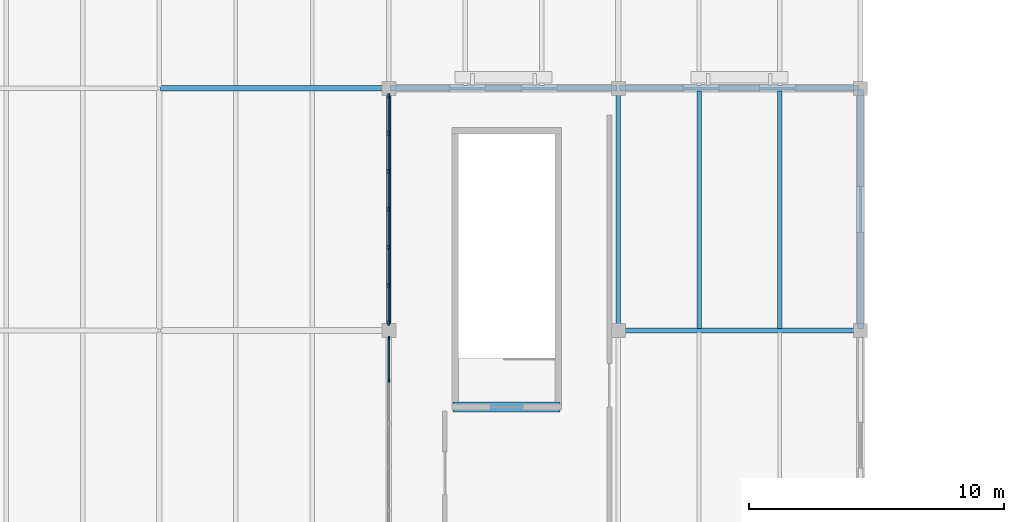
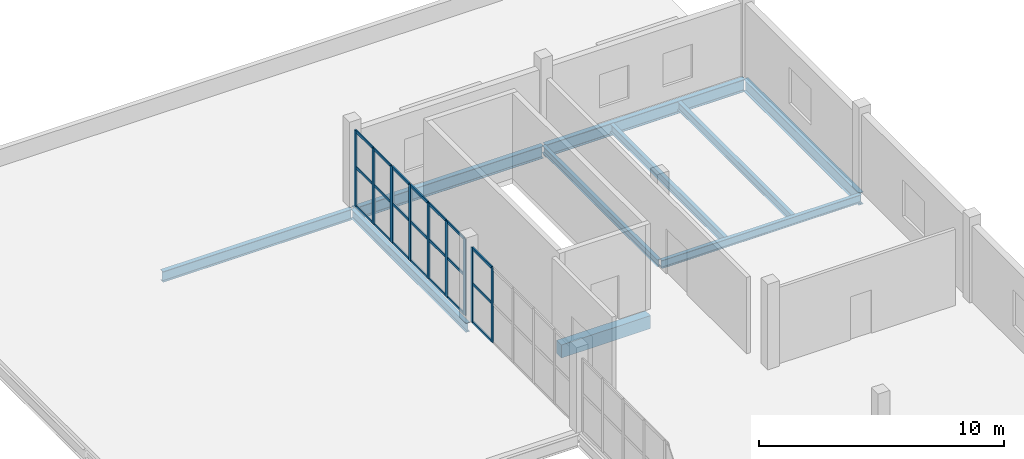
# One storey, part 32 of 54: 30 members, 10 beams, 2 elements without a shape of their own.
"""IFC4 building model written with IfcOpenShell, lengths in metres."""

from ifc_helpers import new_model, si_unit, direction, frame, origin, origin_2d, place, context, subcontext, project, spatial, rectangle, i_section, extrude, material, layer, layer_set, material_profile, profile_set, type_object, element, aggregate, save


model = new_model("IFC4")

# Units and contexts
model_context = context("Model", 3, precision=1e-05, world=origin(), true_north=direction((0.0, 1.0)))
body_context = subcontext(model_context, "Body", "Model", "MODEL_VIEW")
ifc_project = project(units=[si_unit("LENGTHUNIT", "METRE"), si_unit("AREAUNIT", "SQUARE_METRE"), si_unit("VOLUMEUNIT", "CUBIC_METRE"), si_unit("PLANEANGLEUNIT", "RADIAN"), si_unit("MASSUNIT", "GRAM", prefix="KILO")], contexts=[model_context])

# Site, building, storey
site_placement = place(None, origin())
site = spatial("IfcSite", under=ifc_project, at=site_placement, CompositionType="ELEMENT")
building_placement = place(site_placement, origin())
building = spatial("IfcBuilding", under=site, at=building_placement, Name="Marnock Terrace Opera House", CompositionType="ELEMENT")
storey_placement = place(building_placement, frame((0.0, 0.0, 19.199951171875)))
storey = spatial("IfcBuildingStorey", under=building, at=storey_placement, Name="L04", CompositionType="ELEMENT", Elevation=19.199951171875)

# Beams
ifc_material_1 = material(Name="Steel Grade 350 (AS/NZS 3679.1)", Category="steel")
ifc_material_profile_1 = material_profile(ifc_material_1, i_section(OverallWidth=0.1708984375, OverallDepth=0.355712890625, WebThickness=0.00732421875, FlangeThickness=0.011474609375, FilletRadius=0.011474609375, at=origin_2d()))
ifc_profile_set_1 = profile_set([ifc_material_profile_1], Name="Steel Grade 350 (AS/NZS 3679.1)")
beam_type_1 = type_object("IfcBeamType", Name="BM-GIRD-360", PredefinedType="BEAM", material=ifc_profile_set_1)
beam_1_placement = place(storey_placement, frame((145.0, 75.050048828125, -0.427734375), z_axis=(0.0, 1.0, 0.0), x_axis=(-1.0, 0.0, 0.0)))
element("IfcBeam", 1, at=beam_1_placement, inside=storey, type_object=beam_type_1, Name="L04 girder (X=145.0, 75.0..84.5)", PredefinedType="BEAM", context=body_context, shape_type="SweptSolid", body=[
    extrude(i_section(OverallWidth=0.1708984375, OverallDepth=0.355712890625, WebThickness=0.00732421875, FlangeThickness=0.011474609375, FilletRadius=0.011474609375, at=origin_2d()), origin(), (0.0, 0.0, 1.0), 9.39990234375),
])
ifc_material_profile_2 = material_profile(ifc_material_1, i_section(OverallWidth=0.177978515625, OverallDepth=0.402587890625, WebThickness=0.007568359375, FlangeThickness=0.010986328125, FilletRadius=0.011474609375, at=origin_2d()))
ifc_profile_set_2 = profile_set([ifc_material_profile_2], Name="Steel Grade 350 (AS/NZS 3679.1)")
beam_type_2 = type_object("IfcBeamType", Name="BM-GIRD-410", PredefinedType="BEAM", material=ifc_profile_set_2)
beam_2_placement = place(storey_placement, frame((145.050048828125, 75.0, -0.451171875), z_axis=(1.0, 0.0, 0.0), x_axis=(0.0, 1.0, 0.0)))
element("IfcBeam", 2, at=beam_2_placement, inside=storey, type_object=beam_type_2, Name="L04 girder (145.0..154.5, Y=75.0)", PredefinedType="BEAM", context=body_context, shape_type="SweptSolid", body=[
    extrude(i_section(OverallWidth=0.177978515625, OverallDepth=0.402587890625, WebThickness=0.007568359375, FlangeThickness=0.010986328125, FilletRadius=0.011474609375, at=origin_2d()), origin(), (0.0, 0.0, 1.0), 9.39990234375),
])
ifc_material_profile_3 = material_profile(ifc_material_1, i_section(OverallWidth=0.18994140625, OverallDepth=0.45751953125, WebThickness=0.009033203125, FlangeThickness=0.014404296875, FilletRadius=0.011474609375, at=origin_2d()))
ifc_profile_set_3 = profile_set([ifc_material_profile_3], Name="Steel Grade 350 (AS/NZS 3679.1)")
beam_type_3 = type_object("IfcBeamType", Name="BM-GIRD-460B", PredefinedType="BEAM", material=ifc_profile_set_3)
beam_3_placement = place(storey_placement, frame((136.0, 75.050048828125, -0.478759765625), z_axis=(0.0, 1.0, 0.0), x_axis=(-1.0, 0.0, 0.0)))
element("IfcBeam", 3, at=beam_3_placement, inside=storey, type_object=beam_type_3, Name="L04 girder (X=136.0, 75.0..84.5)", PredefinedType="BEAM", context=body_context, shape_type="SweptSolid", body=[
    extrude(i_section(OverallWidth=0.18994140625, OverallDepth=0.45751953125, WebThickness=0.009033203125, FlangeThickness=0.014404296875, FilletRadius=0.011474609375, at=origin_2d()), origin(), (0.0, 0.0, 1.0), 9.39990234375),
])
ifc_material_profile_4 = material_profile(ifc_material_1, i_section(OverallWidth=0.208984375, OverallDepth=0.532958984375, WebThickness=0.01025390625, FlangeThickness=0.015625, FilletRadius=0.013916015625, at=origin_2d()))
ifc_profile_set_4 = profile_set([ifc_material_profile_4], Name="Steel Grade 350 (AS/NZS 3679.1)")
beam_type_4 = type_object("IfcBeamType", Name="BM-GIRD-530A", PredefinedType="BEAM", material=ifc_profile_set_4)
beam_4_placement = place(storey_placement, frame((127.050048828125, 84.5, -0.516357421875), z_axis=(1.0, 0.0, 0.0), x_axis=(0.0, 1.0, 0.0)))
element("IfcBeam", 4, at=beam_4_placement, inside=storey, type_object=beam_type_4, Name="L04 girder (127.0..136.0, Y=84.5)", PredefinedType="BEAM", context=body_context, shape_type="SweptSolid", body=[
    extrude(i_section(OverallWidth=0.208984375, OverallDepth=0.532958984375, WebThickness=0.01025390625, FlangeThickness=0.015625, FilletRadius=0.013916015625, at=origin_2d()), origin(), (0.0, 0.0, 1.0), 8.89990234375),
])
ifc_material_profile_5 = material_profile(ifc_material_1, i_section(OverallWidth=0.22900390625, OverallDepth=0.611572265625, WebThickness=0.011962890625, FlangeThickness=0.01953125, FilletRadius=0.013916015625, at=origin_2d()))
ifc_profile_set_5 = profile_set([ifc_material_profile_5], Name="Steel Grade 350 (AS/NZS 3679.1)")
beam_type_5 = type_object("IfcBeamType", Name="BM-GIRD-610A", PredefinedType="BEAM", material=ifc_profile_set_5)
beam_5_placement = place(storey_placement, frame((145.050048828125, 84.5, -0.5556640625), z_axis=(1.0, 0.0, 0.0), x_axis=(0.0, 1.0, 0.0)))
element("IfcBeam", 5, at=beam_5_placement, inside=storey, type_object=beam_type_5, Name="L04 girder (145.0..154.5, Y=84.5)", PredefinedType="BEAM", context=body_context, shape_type="SweptSolid", body=[
    extrude(i_section(OverallWidth=0.22900390625, OverallDepth=0.611572265625, WebThickness=0.011962890625, FlangeThickness=0.01953125, FilletRadius=0.013916015625, at=origin_2d()), origin(), (0.0, 0.0, 1.0), 9.39990234375),
])
ifc_material_profile_6 = material_profile(ifc_material_1, i_section(OverallWidth=0.22802734375, OverallDepth=0.60693359375, WebThickness=0.01123046875, FlangeThickness=0.017333984375, FilletRadius=0.013916015625, at=origin_2d()))
ifc_profile_set_6 = profile_set([ifc_material_profile_6], Name="Steel Grade 350 (AS/NZS 3679.1)")
beam_type_6 = type_object("IfcBeamType", Name="BM-GIRD-610B", PredefinedType="BEAM", material=ifc_profile_set_6)
beam_6_placement = place(storey_placement, frame((136.050048828125, 84.5, -0.553466796875), z_axis=(1.0, 0.0, 0.0), x_axis=(0.0, 1.0, 0.0)))
element("IfcBeam", 6, at=beam_6_placement, inside=storey, type_object=beam_type_6, Name="L04 girder (136.0..145.0, Y=84.5)", PredefinedType="BEAM", context=body_context, shape_type="SweptSolid", body=[
    extrude(i_section(OverallWidth=0.22802734375, OverallDepth=0.60693359375, WebThickness=0.01123046875, FlangeThickness=0.017333984375, FilletRadius=0.013916015625, at=origin_2d()), origin(), (0.0, 0.0, 1.0), 8.89990234375),
])
ifc_material_profile_7 = material_profile(ifc_material_1, i_section(OverallWidth=0.22802734375, OverallDepth=0.60205078125, WebThickness=0.010498046875, FlangeThickness=0.014892578125, FilletRadius=0.013916015625, at=origin_2d()))
ifc_profile_set_7 = profile_set([ifc_material_profile_7], Name="Steel Grade 350 (AS/NZS 3679.1)")
beam_type_7 = type_object("IfcBeamType", Name="BM-GIRD-610C", PredefinedType="BEAM", material=ifc_profile_set_7)
beam_7_placement = place(storey_placement, frame((154.5, 75.050048828125, -0.551025390625), z_axis=(0.0, 1.0, 0.0), x_axis=(-1.0, 0.0, 0.0)))
element("IfcBeam", 7, at=beam_7_placement, inside=storey, type_object=beam_type_7, Name="L04 girder (X=154.5, 75.0..84.5)", PredefinedType="BEAM", context=body_context, shape_type="SweptSolid", body=[
    extrude(i_section(OverallWidth=0.22802734375, OverallDepth=0.60205078125, WebThickness=0.010498046875, FlangeThickness=0.014892578125, FilletRadius=0.013916015625, at=origin_2d()), origin(), (0.0, 0.0, 1.0), 9.39990234375),
])
ifc_material_profile_8 = material_profile(ifc_material_1, i_section(OverallWidth=0.177978515625, OverallDepth=0.406494140625, WebThickness=0.0078125, FlangeThickness=0.0126953125, FilletRadius=0.011474609375, at=origin_2d()))
ifc_profile_set_8 = profile_set([ifc_material_profile_8], Name="Steel Grade 350 (AS/NZS 3679.1)")
beam_type_8 = type_object("IfcBeamType", Name="BM-JOIST-410", PredefinedType="JOIST", material=ifc_profile_set_8)
for number, where, z_axis, x_axis, name in (
    (8, (148.166748046875, 75.083984375, -0.453125), (0.0, 1.0, 0.0), (-1.0, 0.0, 0.0), "L04 secondary joist 16.9.1"),
    (9, (151.333251953125, 75.083984375, -0.453125), (0.0, 1.0, 0.0), (-1.0, 0.0, 0.0), "L04 secondary joist 16.9.2"),
):
    element("IfcBeam", number, at=place(storey_placement, frame(where, z_axis=z_axis, x_axis=x_axis)), inside=storey, type_object=beam_type_8, Name=name, PredefinedType="JOIST", context=body_context, shape_type="SweptSolid", body=[
        extrude(i_section(OverallWidth=0.177978515625, OverallDepth=0.406494140625, WebThickness=0.0078125, FlangeThickness=0.0126953125, FilletRadius=0.011474609375, at=origin_2d()), origin(), (0.0, 0.0, 1.0), 9.306396484375),
    ])
ifc_material_2 = material(Name="Concrete N40 (f'c = 40 MPa)", Category="concrete")
ifc_material_profile_9 = material_profile(ifc_material_2, rectangle(XDim=0.39990234375, YDim=0.64990234375, at=origin_2d()))
ifc_profile_set_9 = profile_set([ifc_material_profile_9], Name="Concrete N40 (f'c = 40 MPa)")
beam_type_9 = type_object("IfcBeamType", Name="BM-LINT-RC400", PredefinedType="LINTEL", material=ifc_profile_set_9)
beam_8_placement = place(storey_placement, frame((138.52001953125, 72.0, -0.599853515625), z_axis=(1.0, 0.0, 0.0), x_axis=(0.0, 1.0, 0.0)))
element("IfcBeam", 10, at=beam_8_placement, inside=storey, type_object=beam_type_9, Name="L03 Core C8 coupling lintel", PredefinedType="LINTEL", context=body_context, shape_type="SweptSolid", body=[
    extrude(rectangle(XDim=0.39990234375, YDim=0.64990234375, at=origin_2d()), origin(), (0.0, 0.0, 1.0), 4.199951171875),
])

# Curtain wall, members
ifc_material_3 = material(Name="Anodised architectural bronze aluminium framing", Category="aluminium")
ifc_layer = layer(ifc_material_3, 0.159912109375)
ifc_layer_set = layer_set([ifc_layer], Name="Anodised architectural bronze aluminium framing")
curtain_wall_type = type_object("IfcCurtainWallType", Name="CW-DRUM-71x39", PredefinedType="NOTDEFINED", material=ifc_layer_set)
curtain_wall_1_placement = place(storey_placement, origin())
curtain_wall_1 = element("IfcCurtainWall", 11, at=curtain_wall_1_placement, inside=storey, type_object=curtain_wall_type, Name="L04 glazed Beaux-Arts colonnade curtain wall CW-L04-V5C4", PredefinedType="NOTDEFINED")
ifc_material_profile_10 = material_profile(ifc_material_3, rectangle(XDim=0.06005859375, YDim=0.14990234375, at=origin_2d()))
ifc_profile_set_10 = profile_set([ifc_material_profile_10], Name="Anodised architectural bronze aluminium framing")
member_type_1 = type_object("IfcMemberType", Name="CWM-60x150", PredefinedType="MULLION", material=ifc_profile_set_10)
member_1_placement = place(storey_placement, frame((136.0, 73.037353515625, 0.0), z_axis=(0.0, 0.0, 1.0), x_axis=(-1.0, 0.0, 0.0)))
member_1 = element("IfcMember", 12, at=member_1_placement, type_object=member_type_1, Name="CW-76 mullion 5", PredefinedType="MULLION", context=body_context, shape_type="SweptSolid", body=[
    extrude(rectangle(XDim=0.06005859375, YDim=0.14990234375, at=origin_2d()), origin(), (0.0, 0.0, 1.0), 3.72216796875),
])
member_2_placement = place(storey_placement, frame((136.0, 74.698974609375, 0.0), z_axis=(0.0, 0.0, 1.0), x_axis=(-1.0, 0.0, 0.0)))
member_2 = element("IfcMember", 13, at=member_2_placement, type_object=member_type_1, Name="CW-76 mullion 6", PredefinedType="MULLION", context=body_context, shape_type="SweptSolid", body=[
    extrude(rectangle(XDim=0.06005859375, YDim=0.14990234375, at=origin_2d()), origin(), (0.0, 0.0, 1.0), 3.72216796875),
])

curtain_wall_2_placement = place(storey_placement, origin())
curtain_wall_2 = element("IfcCurtainWall", 14, at=curtain_wall_2_placement, inside=storey, type_object=curtain_wall_type, Name="L04 glazed Beaux-Arts colonnade curtain wall CW-L04-V5C5", PredefinedType="NOTDEFINED")
ifc_material_profile_11 = material_profile(ifc_material_3, rectangle(XDim=0.06494140625, YDim=0.179931640625, at=origin_2d()))
ifc_profile_set_11 = profile_set([ifc_material_profile_11], Name="Anodised architectural bronze aluminium framing")
member_type_2 = type_object("IfcMemberType", Name="CWM-65x180", PredefinedType="MULLION", material=ifc_profile_set_11)
member_3_placement = place(storey_placement, frame((136.0, 75.301025390625, 0.0), z_axis=(0.0, 0.0, 1.0), x_axis=(-1.0, 0.0, 0.0)))
member_3 = element("IfcMember", 15, at=member_3_placement, type_object=member_type_2, Name="CW-76 mullion 1", PredefinedType="MULLION", context=body_context, shape_type="SweptSolid", body=[
    extrude(rectangle(XDim=0.06494140625, YDim=0.179931640625, at=origin_2d()), origin(), (0.0, 0.0, 1.0), 3.792724609375),
])
member_4_placement = place(storey_placement, frame((136.0, 76.763916015625, 0.0), z_axis=(0.0, 0.0, 1.0), x_axis=(-1.0, 0.0, 0.0)))
member_4 = element("IfcMember", 16, at=member_4_placement, type_object=member_type_2, Name="CW-76 mullion 2", PredefinedType="MULLION", context=body_context, shape_type="SweptSolid", body=[
    extrude(rectangle(XDim=0.06494140625, YDim=0.179931640625, at=origin_2d()), origin(), (0.0, 0.0, 1.0), 3.792724609375),
])
member_5_placement = place(storey_placement, frame((136.0, 78.257080078125, 0.0), z_axis=(0.0, 0.0, 1.0), x_axis=(-1.0, 0.0, 0.0)))
member_5 = element("IfcMember", 17, at=member_5_placement, type_object=member_type_2, Name="CW-76 mullion 3", PredefinedType="MULLION", context=body_context, shape_type="SweptSolid", body=[
    extrude(rectangle(XDim=0.06494140625, YDim=0.179931640625, at=origin_2d()), origin(), (0.0, 0.0, 1.0), 3.792724609375),
])
member_6_placement = place(storey_placement, frame((136.0, 79.75, 0.0), z_axis=(0.0, 0.0, 1.0), x_axis=(-1.0, 0.0, 0.0)))
member_6 = element("IfcMember", 18, at=member_6_placement, type_object=member_type_2, Name="CW-76 mullion 4", PredefinedType="MULLION", context=body_context, shape_type="SweptSolid", body=[
    extrude(rectangle(XDim=0.06494140625, YDim=0.179931640625, at=origin_2d()), origin(), (0.0, 0.0, 1.0), 3.792724609375),
])
member_7_placement = place(storey_placement, frame((136.0, 81.242919921875, 0.0), z_axis=(0.0, 0.0, 1.0), x_axis=(-1.0, 0.0, 0.0)))
member_7 = element("IfcMember", 19, at=member_7_placement, type_object=member_type_2, Name="CW-76 mullion 5", PredefinedType="MULLION", context=body_context, shape_type="SweptSolid", body=[
    extrude(rectangle(XDim=0.06494140625, YDim=0.179931640625, at=origin_2d()), origin(), (0.0, 0.0, 1.0), 3.792724609375),
])
member_8_placement = place(storey_placement, frame((136.0, 82.736083984375, 0.0), z_axis=(0.0, 0.0, 1.0), x_axis=(-1.0, 0.0, 0.0)))
member_8 = element("IfcMember", 20, at=member_8_placement, type_object=member_type_2, Name="CW-76 mullion 6", PredefinedType="MULLION", context=body_context, shape_type="SweptSolid", body=[
    extrude(rectangle(XDim=0.06494140625, YDim=0.179931640625, at=origin_2d()), origin(), (0.0, 0.0, 1.0), 3.792724609375),
])
member_9_placement = place(storey_placement, frame((136.0, 84.198974609375, 0.0), z_axis=(0.0, 0.0, 1.0), x_axis=(-1.0, 0.0, 0.0)))
member_9 = element("IfcMember", 21, at=member_9_placement, type_object=member_type_2, Name="CW-76 mullion 7", PredefinedType="MULLION", context=body_context, shape_type="SweptSolid", body=[
    extrude(rectangle(XDim=0.06494140625, YDim=0.179931640625, at=origin_2d()), origin(), (0.0, 0.0, 1.0), 3.792724609375),
])

# Member
ifc_material_profile_12 = material_profile(ifc_material_3, rectangle(XDim=0.06005859375, YDim=0.1298828125, at=origin_2d()))
ifc_profile_set_12 = profile_set([ifc_material_profile_12], Name="Anodised architectural bronze aluminium framing")
member_type_3 = type_object("IfcMemberType", Name="CWT-60x130", PredefinedType="USERDEFINED", material=ifc_profile_set_12)
member_10_placement = place(storey_placement, frame((136.0, 73.0673828125, 0.030029296875), z_axis=(0.0, 1.0, 0.0), x_axis=(-1.0, 0.0, 0.0)))
member_10 = element("IfcMember", 22, at=member_10_placement, type_object=member_type_3, Name="CW-76 transom 5.1", ObjectType="TRANSOM", PredefinedType="USERDEFINED", context=body_context, shape_type="SweptSolid", body=[
    extrude(rectangle(XDim=0.06005859375, YDim=0.1298828125, at=origin_2d()), origin(), (0.0, 0.0, 1.0), 1.6015625),
])

member_11_placement = place(storey_placement, frame((136.0, 73.0673828125, 1.935546875), z_axis=(0.0, 1.0, 0.0), x_axis=(-1.0, 0.0, 0.0)))
member_11 = element("IfcMember", 23, at=member_11_placement, type_object=member_type_3, Name="CW-76 transom 5.2", ObjectType="TRANSOM", PredefinedType="USERDEFINED", context=body_context, shape_type="SweptSolid", body=[
    extrude(rectangle(XDim=0.06005859375, YDim=0.1298828125, at=origin_2d()), origin(), (0.0, 0.0, 1.0), 1.6015625),
])

member_12_placement = place(storey_placement, frame((136.0, 73.0673828125, 3.692138671875), z_axis=(0.0, 1.0, 0.0), x_axis=(-1.0, 0.0, 0.0)))
member_12 = element("IfcMember", 24, at=member_12_placement, type_object=member_type_3, Name="CW-76 transom 5.3", ObjectType="TRANSOM", PredefinedType="USERDEFINED", context=body_context, shape_type="SweptSolid", body=[
    extrude(rectangle(XDim=0.06005859375, YDim=0.1298828125, at=origin_2d()), origin(), (0.0, 0.0, 1.0), 1.6015625),
])

aggregate(curtain_wall_1, [member_1, member_2, member_10, member_11, member_12])

member_13_placement = place(storey_placement, frame((136.0, 75.3310546875, 0.030029296875), z_axis=(0.0, 1.0, 0.0), x_axis=(-1.0, 0.0, 0.0)))
member_13 = element("IfcMember", 25, at=member_13_placement, type_object=member_type_3, Name="CW-76 transom 1.1", ObjectType="TRANSOM", PredefinedType="USERDEFINED", context=body_context, shape_type="SweptSolid", body=[
    extrude(rectangle(XDim=0.06005859375, YDim=0.1298828125, at=origin_2d()), origin(), (0.0, 0.0, 1.0), 1.40283203125),
])

member_14_placement = place(storey_placement, frame((136.0, 75.3310546875, 1.97216796875), z_axis=(0.0, 1.0, 0.0), x_axis=(-1.0, 0.0, 0.0)))
member_14 = element("IfcMember", 26, at=member_14_placement, type_object=member_type_3, Name="CW-76 transom 1.2", ObjectType="TRANSOM", PredefinedType="USERDEFINED", context=body_context, shape_type="SweptSolid", body=[
    extrude(rectangle(XDim=0.06005859375, YDim=0.1298828125, at=origin_2d()), origin(), (0.0, 0.0, 1.0), 1.40283203125),
])

member_15_placement = place(storey_placement, frame((136.0, 75.3310546875, 3.7626953125), z_axis=(0.0, 1.0, 0.0), x_axis=(-1.0, 0.0, 0.0)))
member_15 = element("IfcMember", 27, at=member_15_placement, type_object=member_type_3, Name="CW-76 transom 1.3", ObjectType="TRANSOM", PredefinedType="USERDEFINED", context=body_context, shape_type="SweptSolid", body=[
    extrude(rectangle(XDim=0.06005859375, YDim=0.1298828125, at=origin_2d()), origin(), (0.0, 0.0, 1.0), 1.40283203125),
])

member_16_placement = place(storey_placement, frame((136.0, 76.7939453125, 0.030029296875), z_axis=(0.0, 1.0, 0.0), x_axis=(-1.0, 0.0, 0.0)))
member_16 = element("IfcMember", 28, at=member_16_placement, type_object=member_type_3, Name="CW-76 transom 2.1", ObjectType="TRANSOM", PredefinedType="USERDEFINED", context=body_context, shape_type="SweptSolid", body=[
    extrude(rectangle(XDim=0.06005859375, YDim=0.1298828125, at=origin_2d()), origin(), (0.0, 0.0, 1.0), 1.43310546875),
])

member_17_placement = place(storey_placement, frame((136.0, 76.7939453125, 1.97216796875), z_axis=(0.0, 1.0, 0.0), x_axis=(-1.0, 0.0, 0.0)))
member_17 = element("IfcMember", 29, at=member_17_placement, type_object=member_type_3, Name="CW-76 transom 2.2", ObjectType="TRANSOM", PredefinedType="USERDEFINED", context=body_context, shape_type="SweptSolid", body=[
    extrude(rectangle(XDim=0.06005859375, YDim=0.1298828125, at=origin_2d()), origin(), (0.0, 0.0, 1.0), 1.43310546875),
])

member_18_placement = place(storey_placement, frame((136.0, 76.7939453125, 3.7626953125), z_axis=(0.0, 1.0, 0.0), x_axis=(-1.0, 0.0, 0.0)))
member_18 = element("IfcMember", 30, at=member_18_placement, type_object=member_type_3, Name="CW-76 transom 2.3", ObjectType="TRANSOM", PredefinedType="USERDEFINED", context=body_context, shape_type="SweptSolid", body=[
    extrude(rectangle(XDim=0.06005859375, YDim=0.1298828125, at=origin_2d()), origin(), (0.0, 0.0, 1.0), 1.43310546875),
])

member_19_placement = place(storey_placement, frame((136.0, 78.287109375, 0.030029296875), z_axis=(0.0, 1.0, 0.0), x_axis=(-1.0, 0.0, 0.0)))
member_19 = element("IfcMember", 31, at=member_19_placement, type_object=member_type_3, Name="CW-76 transom 3.1", ObjectType="TRANSOM", PredefinedType="USERDEFINED", context=body_context, shape_type="SweptSolid", body=[
    extrude(rectangle(XDim=0.06005859375, YDim=0.1298828125, at=origin_2d()), origin(), (0.0, 0.0, 1.0), 1.432861328125),
])

member_20_placement = place(storey_placement, frame((136.0, 78.287109375, 1.97216796875), z_axis=(0.0, 1.0, 0.0), x_axis=(-1.0, 0.0, 0.0)))
member_20 = element("IfcMember", 32, at=member_20_placement, type_object=member_type_3, Name="CW-76 transom 3.2", ObjectType="TRANSOM", PredefinedType="USERDEFINED", context=body_context, shape_type="SweptSolid", body=[
    extrude(rectangle(XDim=0.06005859375, YDim=0.1298828125, at=origin_2d()), origin(), (0.0, 0.0, 1.0), 1.432861328125),
])

member_21_placement = place(storey_placement, frame((136.0, 78.287109375, 3.7626953125), z_axis=(0.0, 1.0, 0.0), x_axis=(-1.0, 0.0, 0.0)))
member_21 = element("IfcMember", 33, at=member_21_placement, type_object=member_type_3, Name="CW-76 transom 3.3", ObjectType="TRANSOM", PredefinedType="USERDEFINED", context=body_context, shape_type="SweptSolid", body=[
    extrude(rectangle(XDim=0.06005859375, YDim=0.1298828125, at=origin_2d()), origin(), (0.0, 0.0, 1.0), 1.432861328125),
])

member_22_placement = place(storey_placement, frame((136.0, 79.780029296875, 0.030029296875), z_axis=(0.0, 1.0, 0.0), x_axis=(-1.0, 0.0, 0.0)))
member_22 = element("IfcMember", 34, at=member_22_placement, type_object=member_type_3, Name="CW-76 transom 4.1", ObjectType="TRANSOM", PredefinedType="USERDEFINED", context=body_context, shape_type="SweptSolid", body=[
    extrude(rectangle(XDim=0.06005859375, YDim=0.1298828125, at=origin_2d()), origin(), (0.0, 0.0, 1.0), 1.432861328125),
])

member_23_placement = place(storey_placement, frame((136.0, 79.780029296875, 1.97216796875), z_axis=(0.0, 1.0, 0.0), x_axis=(-1.0, 0.0, 0.0)))
member_23 = element("IfcMember", 35, at=member_23_placement, type_object=member_type_3, Name="CW-76 transom 4.2", ObjectType="TRANSOM", PredefinedType="USERDEFINED", context=body_context, shape_type="SweptSolid", body=[
    extrude(rectangle(XDim=0.06005859375, YDim=0.1298828125, at=origin_2d()), origin(), (0.0, 0.0, 1.0), 1.432861328125),
])

member_24_placement = place(storey_placement, frame((136.0, 79.780029296875, 3.7626953125), z_axis=(0.0, 1.0, 0.0), x_axis=(-1.0, 0.0, 0.0)))
member_24 = element("IfcMember", 36, at=member_24_placement, type_object=member_type_3, Name="CW-76 transom 4.3", ObjectType="TRANSOM", PredefinedType="USERDEFINED", context=body_context, shape_type="SweptSolid", body=[
    extrude(rectangle(XDim=0.06005859375, YDim=0.1298828125, at=origin_2d()), origin(), (0.0, 0.0, 1.0), 1.432861328125),
])

member_25_placement = place(storey_placement, frame((136.0, 81.27294921875, 0.030029296875), z_axis=(0.0, 1.0, 0.0), x_axis=(-1.0, 0.0, 0.0)))
member_25 = element("IfcMember", 37, at=member_25_placement, type_object=member_type_3, Name="CW-76 transom 5.1", ObjectType="TRANSOM", PredefinedType="USERDEFINED", context=body_context, shape_type="SweptSolid", body=[
    extrude(rectangle(XDim=0.06005859375, YDim=0.1298828125, at=origin_2d()), origin(), (0.0, 0.0, 1.0), 1.43310546875),
])

member_26_placement = place(storey_placement, frame((136.0, 81.27294921875, 1.97216796875), z_axis=(0.0, 1.0, 0.0), x_axis=(-1.0, 0.0, 0.0)))
member_26 = element("IfcMember", 38, at=member_26_placement, type_object=member_type_3, Name="CW-76 transom 5.2", ObjectType="TRANSOM", PredefinedType="USERDEFINED", context=body_context, shape_type="SweptSolid", body=[
    extrude(rectangle(XDim=0.06005859375, YDim=0.1298828125, at=origin_2d()), origin(), (0.0, 0.0, 1.0), 1.43310546875),
])

member_27_placement = place(storey_placement, frame((136.0, 81.27294921875, 3.7626953125), z_axis=(0.0, 1.0, 0.0), x_axis=(-1.0, 0.0, 0.0)))
member_27 = element("IfcMember", 39, at=member_27_placement, type_object=member_type_3, Name="CW-76 transom 5.3", ObjectType="TRANSOM", PredefinedType="USERDEFINED", context=body_context, shape_type="SweptSolid", body=[
    extrude(rectangle(XDim=0.06005859375, YDim=0.1298828125, at=origin_2d()), origin(), (0.0, 0.0, 1.0), 1.43310546875),
])

member_28_placement = place(storey_placement, frame((136.0, 82.76611328125, 0.030029296875), z_axis=(0.0, 1.0, 0.0), x_axis=(-1.0, 0.0, 0.0)))
member_28 = element("IfcMember", 40, at=member_28_placement, type_object=member_type_3, Name="CW-76 transom 6.1", ObjectType="TRANSOM", PredefinedType="USERDEFINED", context=body_context, shape_type="SweptSolid", body=[
    extrude(rectangle(XDim=0.06005859375, YDim=0.1298828125, at=origin_2d()), origin(), (0.0, 0.0, 1.0), 1.40283203125),
])

member_29_placement = place(storey_placement, frame((136.0, 82.76611328125, 1.97216796875), z_axis=(0.0, 1.0, 0.0), x_axis=(-1.0, 0.0, 0.0)))
member_29 = element("IfcMember", 41, at=member_29_placement, type_object=member_type_3, Name="CW-76 transom 6.2", ObjectType="TRANSOM", PredefinedType="USERDEFINED", context=body_context, shape_type="SweptSolid", body=[
    extrude(rectangle(XDim=0.06005859375, YDim=0.1298828125, at=origin_2d()), origin(), (0.0, 0.0, 1.0), 1.40283203125),
])

member_30_placement = place(storey_placement, frame((136.0, 82.76611328125, 3.7626953125), z_axis=(0.0, 1.0, 0.0), x_axis=(-1.0, 0.0, 0.0)))
member_30 = element("IfcMember", 42, at=member_30_placement, type_object=member_type_3, Name="CW-76 transom 6.3", ObjectType="TRANSOM", PredefinedType="USERDEFINED", context=body_context, shape_type="SweptSolid", body=[
    extrude(rectangle(XDim=0.06005859375, YDim=0.1298828125, at=origin_2d()), origin(), (0.0, 0.0, 1.0), 1.40283203125),
])

aggregate(curtain_wall_2, [member_3, member_4, member_5, member_6, member_7, member_8, member_9, member_13, member_14, member_15, member_16, member_17, member_18, member_19, member_20, member_21, member_22, member_23, member_24, member_25, member_26, member_27, member_28, member_29, member_30])

save(model, "model.ifc")
